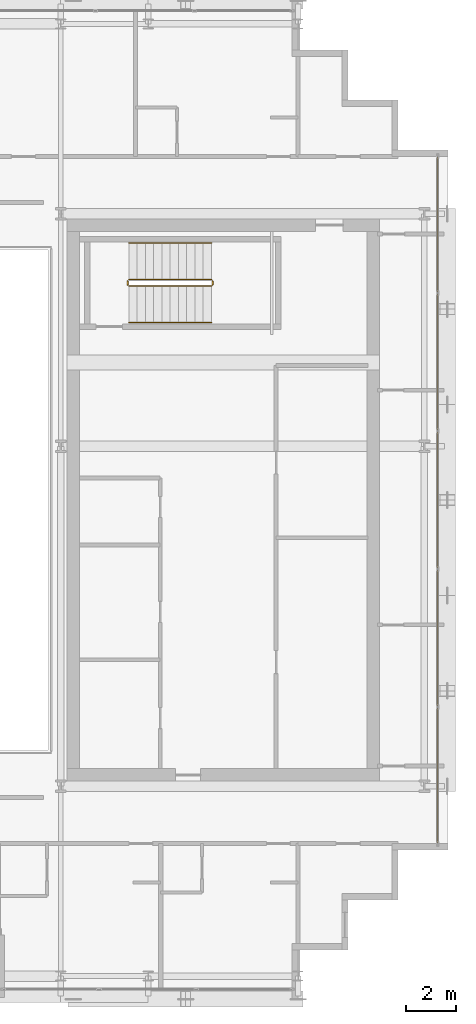
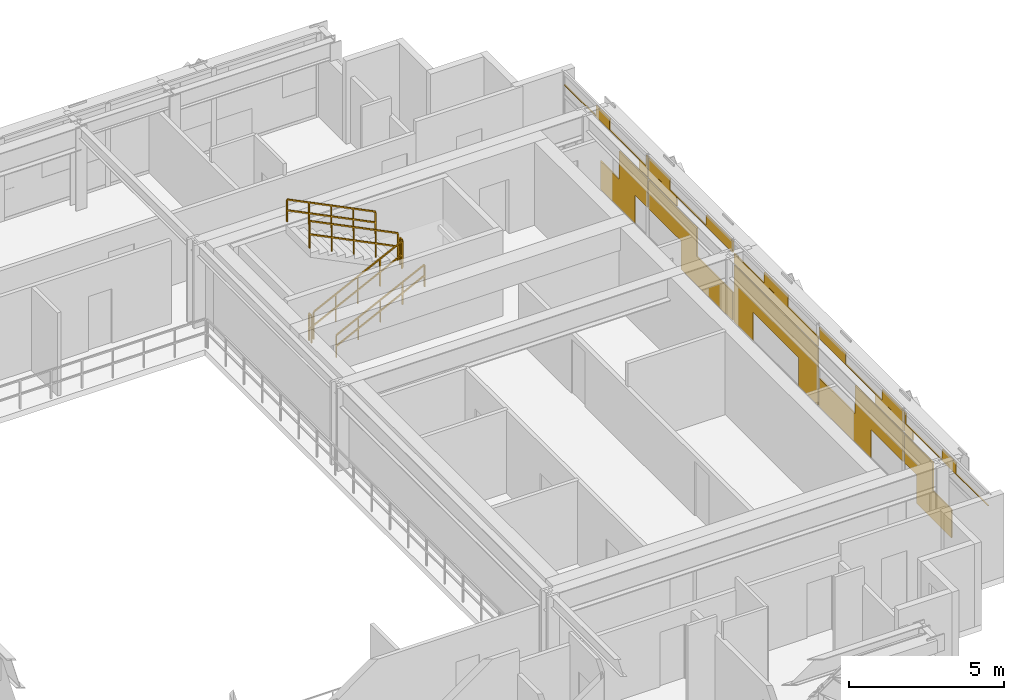
# One storey, part 31 of 32: 6 railings, 1 covering.
"""IFC4 building model written with IfcOpenShell, lengths in metres."""

from ifc_helpers import new_model, si_unit, direction, frame, origin, origin_2d, place, context, subcontext, project, spatial, rectangle, extrude, material, layer, layer_set, type_object, element, save


model = new_model("IFC4")

# Units and contexts
model_context = context("Model", 3, precision=1e-05, world=origin(), true_north=direction((0.0, 1.0)))
body_context = subcontext(model_context, "Body", "Model", "MODEL_VIEW")
ifc_project = project(units=[si_unit("LENGTHUNIT", "METRE"), si_unit("AREAUNIT", "SQUARE_METRE"), si_unit("VOLUMEUNIT", "CUBIC_METRE"), si_unit("PLANEANGLEUNIT", "RADIAN"), si_unit("MASSUNIT", "GRAM", prefix="KILO")], contexts=[model_context])

# Site, building, storey
site_placement = place(None, origin())
site = spatial("IfcSite", under=ifc_project, at=site_placement, CompositionType="ELEMENT")
building_placement = place(site_placement, origin())
building = spatial("IfcBuilding", under=site, at=building_placement, Name="Ocotamira Hotel", CompositionType="ELEMENT")
storey_placement = place(building_placement, frame((0.0, 0.0, 217.199951171875)))
storey = spatial("IfcBuildingStorey", under=building, at=storey_placement, Name="L55", CompositionType="ELEMENT", Elevation=217.199951171875)

# Covering
ifc_material_1 = material(Name="Insulated pale-metal aluminium spandrel panel", Category="aluminium")
ifc_layer = layer(ifc_material_1, 0.044921875)
ifc_layer_set = layer_set([ifc_layer], Name="Insulated pale-metal aluminium spandrel panel")
covering_type = type_object("IfcCoveringType", Name="COV-INFILL-45", PredefinedType="CLADDING", material=ifc_layer_set)
covering_placement = place(storey_placement, origin())
element("IfcCovering", 1, at=covering_placement, inside=storey, type_object=covering_type, Name="L55 Curtain Wall Infill CW-4 CW-L55-E", PredefinedType="CLADDING", context=body_context, shape_type="SweptSolid", body=[
    extrude(rectangle(XDim=2.24951171875, YDim=0.044921875, at=origin_2d()), frame((55.580078125, 15.76171875, 0.07568359375), z_axis=(0.0, 0.0, 1.0), x_axis=(0.0, 1.0, 0.0)), (0.0, 0.0, 1.0), 1.117919921875),
    extrude(rectangle(XDim=1.826171875, YDim=0.044921875, at=origin_2d()), frame((55.580078125, 16.7666015625, 1.1943359375), z_axis=(0.0, 0.0, 1.0), x_axis=(0.0, 1.0, 0.0)), (0.0, 0.0, 1.0), 1.11767578125),
    extrude(rectangle(XDim=5.39892578125, YDim=0.044921875, at=origin_2d()), frame((55.580078125, 14.97998046875, 2.75927734375), z_axis=(0.0, 0.0, 1.0), x_axis=(0.0, 1.0, 0.0)), (0.0, 0.0, 1.0), 0.029541015625),
    extrude(rectangle(XDim=0.892578125, YDim=0.044921875, at=origin_2d()), frame((55.580078125, 14.79638671875, 2.7900390625), z_axis=(0.0, 0.0, 1.0), x_axis=(0.0, 1.0, 0.0)), (0.0, 0.0, 1.0), 0.414794921875),
    extrude(rectangle(XDim=0.528076171875, YDim=0.044921875, at=origin_2d()), frame((55.580078125, 17.41552734375, 2.38818359375), z_axis=(0.0, 0.0, 1.0), x_axis=(0.0, 1.0, 0.0)), (0.0, 0.0, 1.0), 0.370361328125),
    extrude(rectangle(XDim=0.09130859375, YDim=0.044921875, at=origin_2d()), frame((55.580078125, 17.6337890625, 2.7900390625), z_axis=(0.0, 0.0, 1.0), x_axis=(0.0, 1.0, 0.0)), (0.0, 0.0, 1.0), 0.414794921875),
    extrude(rectangle(XDim=3.119384765625, YDim=0.044921875, at=origin_2d()), frame((55.580078125, 19.3203125, 1.1943359375), z_axis=(0.0, 0.0, 1.0), x_axis=(0.0, 1.0, 0.0)), (0.0, 0.0, 1.0), 1.11767578125),
    extrude(rectangle(XDim=3.352783203125, YDim=0.044921875, at=origin_2d()), frame((55.580078125, 21.523193359375, 0.07568359375), z_axis=(0.0, 0.0, 1.0), x_axis=(0.0, 1.0, 0.0)), (0.0, 0.0, 1.0), 1.117919921875),
    extrude(rectangle(XDim=1.8212890625, YDim=0.044921875, at=origin_2d()), frame((55.580078125, 18.671142578125, 2.38818359375), z_axis=(0.0, 0.0, 1.0), x_axis=(0.0, 1.0, 0.0)), (0.0, 0.0, 1.0), 0.370361328125),
    extrude(rectangle(XDim=5.43896484375, YDim=0.044921875, at=origin_2d()), frame((55.580078125, 20.47998046875, 2.75927734375), z_axis=(0.0, 0.0, 1.0), x_axis=(0.0, 1.0, 0.0)), (0.0, 0.0, 1.0), 0.029541015625),
    extrude(rectangle(XDim=1.384521484375, YDim=0.044921875, at=origin_2d()), frame((55.580078125, 18.45263671875, 2.7900390625), z_axis=(0.0, 0.0, 1.0), x_axis=(0.0, 1.0, 0.0)), (0.0, 0.0, 1.0), 0.414794921875),
    extrude(rectangle(XDim=1.708740234375, YDim=0.044921875, at=origin_2d()), frame((55.580078125, 22.34521484375, 2.7900390625), z_axis=(0.0, 0.0, 1.0), x_axis=(0.0, 1.0, 0.0)), (0.0, 0.0, 1.0), 0.414794921875),
    extrude(rectangle(XDim=1.239501953125, YDim=0.044921875, at=origin_2d()), frame((55.580078125, 23.900146484375, 0.07568359375), z_axis=(0.0, 0.0, 1.0), x_axis=(0.0, 1.0, 0.0)), (0.0, 0.0, 1.0), 1.117919921875),
    extrude(rectangle(XDim=5.43896484375, YDim=0.044921875, at=origin_2d()), frame((55.580078125, 26.0, 1.1943359375), z_axis=(0.0, 0.0, 1.0), x_axis=(0.0, 1.0, 0.0)), (0.0, 0.0, 1.0), 1.11767578125),
    extrude(rectangle(XDim=1.239501953125, YDim=0.044921875, at=origin_2d()), frame((55.580078125, 28.099853515625, 0.07568359375), z_axis=(0.0, 0.0, 1.0), x_axis=(0.0, 1.0, 0.0)), (0.0, 0.0, 1.0), 1.117919921875),
    extrude(rectangle(XDim=5.43896484375, YDim=0.044921875, at=origin_2d()), frame((55.580078125, 26.0, 2.387939453125), z_axis=(0.0, 0.0, 1.0), x_axis=(0.0, 1.0, 0.0)), (0.0, 0.0, 1.0), 0.40087890625),
    extrude(rectangle(XDim=1.556640625, YDim=0.044921875, at=origin_2d()), frame((55.580078125, 26.0, 2.7900390625), z_axis=(0.0, 0.0, 1.0), x_axis=(0.0, 1.0, 0.0)), (0.0, 0.0, 1.0), 0.414794921875),
    extrude(rectangle(XDim=3.352783203125, YDim=0.044921875, at=origin_2d()), frame((55.580078125, 30.476806640625, 0.07568359375), z_axis=(0.0, 0.0, 1.0), x_axis=(0.0, 1.0, 0.0)), (0.0, 0.0, 1.0), 1.117919921875),
    extrude(rectangle(XDim=3.119384765625, YDim=0.044921875, at=origin_2d()), frame((55.580078125, 32.6796875, 1.1943359375), z_axis=(0.0, 0.0, 1.0), x_axis=(0.0, 1.0, 0.0)), (0.0, 0.0, 1.0), 1.11767578125),
    extrude(rectangle(XDim=5.43896484375, YDim=0.044921875, at=origin_2d()), frame((55.580078125, 31.52001953125, 2.75927734375), z_axis=(0.0, 0.0, 1.0), x_axis=(0.0, 1.0, 0.0)), (0.0, 0.0, 1.0), 0.029541015625),
    extrude(rectangle(XDim=1.708740234375, YDim=0.044921875, at=origin_2d()), frame((55.580078125, 29.65478515625, 2.7900390625), z_axis=(0.0, 0.0, 1.0), x_axis=(0.0, 1.0, 0.0)), (0.0, 0.0, 1.0), 0.414794921875),
    extrude(rectangle(XDim=1.8212890625, YDim=0.044921875, at=origin_2d()), frame((55.580078125, 33.328857421875, 2.38818359375), z_axis=(0.0, 0.0, 1.0), x_axis=(0.0, 1.0, 0.0)), (0.0, 0.0, 1.0), 0.370361328125),
    extrude(rectangle(XDim=1.384521484375, YDim=0.044921875, at=origin_2d()), frame((55.580078125, 33.54736328125, 2.7900390625), z_axis=(0.0, 0.0, 1.0), x_axis=(0.0, 1.0, 0.0)), (0.0, 0.0, 1.0), 0.414794921875),
    extrude(rectangle(XDim=1.826171875, YDim=0.044921875, at=origin_2d()), frame((55.580078125, 35.2333984375, 1.1943359375), z_axis=(0.0, 0.0, 1.0), x_axis=(0.0, 1.0, 0.0)), (0.0, 0.0, 1.0), 1.11767578125),
    extrude(rectangle(XDim=2.24951171875, YDim=0.044921875, at=origin_2d()), frame((55.580078125, 36.23828125, 0.07568359375), z_axis=(0.0, 0.0, 1.0), x_axis=(0.0, 1.0, 0.0)), (0.0, 0.0, 1.0), 1.117919921875),
    extrude(rectangle(XDim=0.528076171875, YDim=0.044921875, at=origin_2d()), frame((55.580078125, 34.58447265625, 2.38818359375), z_axis=(0.0, 0.0, 1.0), x_axis=(0.0, 1.0, 0.0)), (0.0, 0.0, 1.0), 0.370361328125),
    extrude(rectangle(XDim=5.39892578125, YDim=0.044921875, at=origin_2d()), frame((55.580078125, 37.02001953125, 2.75927734375), z_axis=(0.0, 0.0, 1.0), x_axis=(0.0, 1.0, 0.0)), (0.0, 0.0, 1.0), 0.029541015625),
    extrude(rectangle(XDim=0.09130859375, YDim=0.044921875, at=origin_2d()), frame((55.580078125, 34.3662109375, 2.7900390625), z_axis=(0.0, 0.0, 1.0), x_axis=(0.0, 1.0, 0.0)), (0.0, 0.0, 1.0), 0.414794921875),
    extrude(rectangle(XDim=0.892578125, YDim=0.044921875, at=origin_2d()), frame((55.580078125, 37.20361328125, 2.7900390625), z_axis=(0.0, 0.0, 1.0), x_axis=(0.0, 1.0, 0.0)), (0.0, 0.0, 1.0), 0.414794921875),
])

# Railings
ifc_material_2 = material(Name="Brushed stainless steel handrail", Category="steel")
railing_type_1 = type_object("IfcRailingType", Name="RL-HAND-900", PredefinedType="HANDRAIL", material=ifc_material_2)
railing_1_placement = place(storey_placement, frame((43.22998046875, 33.10009765625, 0.327392578125)))
element("IfcRailing", 2, at=railing_1_placement, inside=storey, type_object=railing_type_1, Name="L55 ST-4 stair handrail 1", PredefinedType="HANDRAIL", context=body_context, shape_type="SweptSolid", body=[
    extrude(rectangle(XDim=0.048095703125, YDim=0.048095703125, at=origin_2d()), frame((0.0, 0.0, 0.8759765625), z_axis=(0.895920123917, 0.0, 0.444215186098), x_axis=(0.0, 1.0, 0.0)), (0.0, 0.0, 1.0), 3.683349609375),
    extrude(rectangle(XDim=0.048095703125, YDim=0.048095703125, at=origin_2d()), frame((0.0, 0.0, 0.449951171875), z_axis=(0.895920123917, 0.0, 0.444215186098), x_axis=(0.0, 1.0, 0.0)), (0.0, 0.0, 1.0), 3.683349609375),
    extrude(rectangle(XDim=0.0419921875, YDim=0.0419921875, at=origin_2d()), origin(), (0.0, 0.0, 1.0), 0.851806640625),
    extrude(rectangle(XDim=0.0419921875, YDim=0.0419921875, at=origin_2d()), frame((0.824951171875, 0.0, 0.4091796875)), (0.0, 0.0, 1.0), 0.851806640625),
    extrude(rectangle(XDim=0.0419921875, YDim=0.0419921875, at=origin_2d()), frame((1.64990234375, 0.0, 0.818115234375)), (0.0, 0.0, 1.0), 0.851806640625),
    extrude(rectangle(XDim=0.0419921875, YDim=0.0419921875, at=origin_2d()), frame((2.47509765625, 0.0, 1.22705078125)), (0.0, 0.0, 1.0), 0.851806640625),
    extrude(rectangle(XDim=0.0419921875, YDim=0.0419921875, at=origin_2d()), frame((3.300048828125, 0.0, 1.63623046875)), (0.0, 0.0, 1.0), 0.851806640625),
])
railing_2_placement = place(storey_placement, frame((46.530029296875, 36.280029296875, 2.12744140625)))
element("IfcRailing", 3, at=railing_2_placement, inside=storey, type_object=railing_type_1, Name="L55 ST-4 stair handrail 2", PredefinedType="HANDRAIL", context=body_context, shape_type="SweptSolid", body=[
    extrude(rectangle(XDim=0.048095703125, YDim=0.048095703125, at=origin_2d()), frame((0.0, 0.0, 0.8759765625), z_axis=(-0.895920123917, 0.0, 0.444215186098), x_axis=(0.0, -1.0, 0.0)), (0.0, 0.0, 1.0), 3.683349609375),
    extrude(rectangle(XDim=0.048095703125, YDim=0.048095703125, at=origin_2d()), frame((0.0, 0.0, 0.449951171875), z_axis=(-0.895920123917, 0.0, 0.444215186098), x_axis=(0.0, -1.0, 0.0)), (0.0, 0.0, 1.0), 3.683349609375),
    extrude(rectangle(XDim=0.0419921875, YDim=0.0419921875, at=origin_2d()), origin(), (0.0, 0.0, 1.0), 0.851806640625),
    extrude(rectangle(XDim=0.0419921875, YDim=0.0419921875, at=origin_2d()), frame((-0.824951171875, 0.0, 0.4091796875)), (0.0, 0.0, 1.0), 0.851806640625),
    extrude(rectangle(XDim=0.0419921875, YDim=0.0419921875, at=origin_2d()), frame((-1.64990234375, 0.0, 0.818115234375)), (0.0, 0.0, 1.0), 0.851806640625),
    extrude(rectangle(XDim=0.0419921875, YDim=0.0419921875, at=origin_2d()), frame((-2.47509765625, 0.0, 1.22705078125)), (0.0, 0.0, 1.0), 0.851806640625),
    extrude(rectangle(XDim=0.0419921875, YDim=0.0419921875, at=origin_2d()), frame((-3.300048828125, 0.0, 1.63623046875)), (0.0, 0.0, 1.0), 0.851806640625),
])
ifc_material_3 = material(Name="Painted steel stair guardrail", Category="steel")
railing_type_2 = type_object("IfcRailingType", Name="RL-STAIR-1100", PredefinedType="GUARDRAIL", material=ifc_material_3)
railing_3_placement = place(storey_placement, frame((43.22998046875, 34.56005859375, 0.16357421875)))
element("IfcRailing", 4, at=railing_3_placement, inside=storey, type_object=railing_type_2, Name="L55 ST-4 stair guard 1", PredefinedType="GUARDRAIL", context=body_context, shape_type="SweptSolid", body=[
    extrude(rectangle(XDim=0.048095703125, YDim=0.048095703125, at=origin_2d()), frame((0.0, 0.0, 1.076171875), z_axis=(0.895893744519, 0.0, 0.4442683857), x_axis=(0.0, 1.0, 0.0)), (0.0, 0.0, 1.0), 3.68359375),
    extrude(rectangle(XDim=0.048095703125, YDim=0.048095703125, at=origin_2d()), frame((0.0, 0.0, 0.550048828125), z_axis=(0.895893744519, 0.0, 0.4442683857), x_axis=(0.0, 1.0, 0.0)), (0.0, 0.0, 1.0), 3.68359375),
    extrude(rectangle(XDim=0.0419921875, YDim=0.0419921875, at=origin_2d()), origin(), (0.0, 0.0, 1.0), 1.052001953125),
    extrude(rectangle(XDim=0.0419921875, YDim=0.0419921875, at=origin_2d()), frame((0.824951171875, 0.0, 0.4091796875)), (0.0, 0.0, 1.0), 1.052001953125),
    extrude(rectangle(XDim=0.0419921875, YDim=0.0419921875, at=origin_2d()), frame((1.64990234375, 0.0, 0.818359375)), (0.0, 0.0, 1.0), 1.052001953125),
    extrude(rectangle(XDim=0.0419921875, YDim=0.0419921875, at=origin_2d()), frame((2.47509765625, 0.0, 1.227294921875)), (0.0, 0.0, 1.0), 1.052001953125),
    extrude(rectangle(XDim=0.0419921875, YDim=0.0419921875, at=origin_2d()), frame((3.300048828125, 0.0, 1.636474609375)), (0.0, 0.0, 1.0), 1.052001953125),
])
railing_4_placement = place(storey_placement, frame((46.580078125, 34.610107421875, 1.800048828125)))
element("IfcRailing", 5, at=railing_4_placement, inside=storey, type_object=railing_type_2, Name="L55 ST-4 stair guard 2", PredefinedType="GUARDRAIL", context=body_context, shape_type="SweptSolid", body=[
    extrude(rectangle(XDim=0.048095703125, YDim=0.048095703125, at=origin_2d()), frame((0.0, 0.0, 1.076171875), z_axis=(0.0, 1.0, 0.0), x_axis=(-1.0, 0.0, 0.0)), (0.0, 0.0, 1.0), 0.159912109375),
    extrude(rectangle(XDim=0.048095703125, YDim=0.048095703125, at=origin_2d()), frame((0.0, 0.0, 0.550048828125), z_axis=(0.0, 1.0, 0.0), x_axis=(-1.0, 0.0, 0.0)), (0.0, 0.0, 1.0), 0.159912109375),
    extrude(rectangle(XDim=0.0419921875, YDim=0.0419921875, at=origin_2d()), origin(), (0.0, 0.0, 1.0), 1.052001953125),
    extrude(rectangle(XDim=0.0419921875, YDim=0.0419921875, at=origin_2d()), frame((0.0, 0.159912109375, 0.0)), (0.0, 0.0, 1.0), 1.052001953125),
])
railing_5_placement = place(storey_placement, frame((46.530029296875, 34.820068359375, 1.963623046875)))
element("IfcRailing", 6, at=railing_5_placement, inside=storey, type_object=railing_type_2, Name="L55 ST-4 stair guard 3", PredefinedType="GUARDRAIL", context=body_context, shape_type="SweptSolid", body=[
    extrude(rectangle(XDim=0.048095703125, YDim=0.048095703125, at=origin_2d()), frame((0.0, 0.0, 1.076171875), z_axis=(-0.895893744519, 0.0, 0.4442683857), x_axis=(0.0, -1.0, 0.0)), (0.0, 0.0, 1.0), 3.68359375),
    extrude(rectangle(XDim=0.048095703125, YDim=0.048095703125, at=origin_2d()), frame((0.0, 0.0, 0.550048828125), z_axis=(-0.895893744519, 0.0, 0.4442683857), x_axis=(0.0, -1.0, 0.0)), (0.0, 0.0, 1.0), 3.68359375),
    extrude(rectangle(XDim=0.0419921875, YDim=0.0419921875, at=origin_2d()), origin(), (0.0, 0.0, 1.0), 1.052001953125),
    extrude(rectangle(XDim=0.0419921875, YDim=0.0419921875, at=origin_2d()), frame((-0.824951171875, 0.0, 0.4091796875)), (0.0, 0.0, 1.0), 1.052001953125),
    extrude(rectangle(XDim=0.0419921875, YDim=0.0419921875, at=origin_2d()), frame((-1.64990234375, 0.0, 0.818359375)), (0.0, 0.0, 1.0), 1.052001953125),
    extrude(rectangle(XDim=0.0419921875, YDim=0.0419921875, at=origin_2d()), frame((-2.47509765625, 0.0, 1.227294921875)), (0.0, 0.0, 1.0), 1.052001953125),
    extrude(rectangle(XDim=0.0419921875, YDim=0.0419921875, at=origin_2d()), frame((-3.300048828125, 0.0, 1.636474609375)), (0.0, 0.0, 1.0), 1.052001953125),
])
railing_6_placement = place(storey_placement, frame((43.179931640625, 34.610107421875, 0.0)))
element("IfcRailing", 7, at=railing_6_placement, inside=storey, type_object=railing_type_2, Name="L55 ST-4 stair guard 4", PredefinedType="GUARDRAIL", context=body_context, shape_type="SweptSolid", body=[
    extrude(rectangle(XDim=0.048095703125, YDim=0.048095703125, at=origin_2d()), frame((0.0, 0.0, 1.076171875), z_axis=(0.0, 1.0, 0.0), x_axis=(-1.0, 0.0, 0.0)), (0.0, 0.0, 1.0), 0.159912109375),
    extrude(rectangle(XDim=0.048095703125, YDim=0.048095703125, at=origin_2d()), frame((0.0, 0.0, 0.550048828125), z_axis=(0.0, 1.0, 0.0), x_axis=(-1.0, 0.0, 0.0)), (0.0, 0.0, 1.0), 0.159912109375),
    extrude(rectangle(XDim=0.0419921875, YDim=0.0419921875, at=origin_2d()), origin(), (0.0, 0.0, 1.0), 1.052001953125),
    extrude(rectangle(XDim=0.0419921875, YDim=0.0419921875, at=origin_2d()), frame((0.0, 0.159912109375, 0.0)), (0.0, 0.0, 1.0), 1.052001953125),
])

save(model, "model.ifc")
